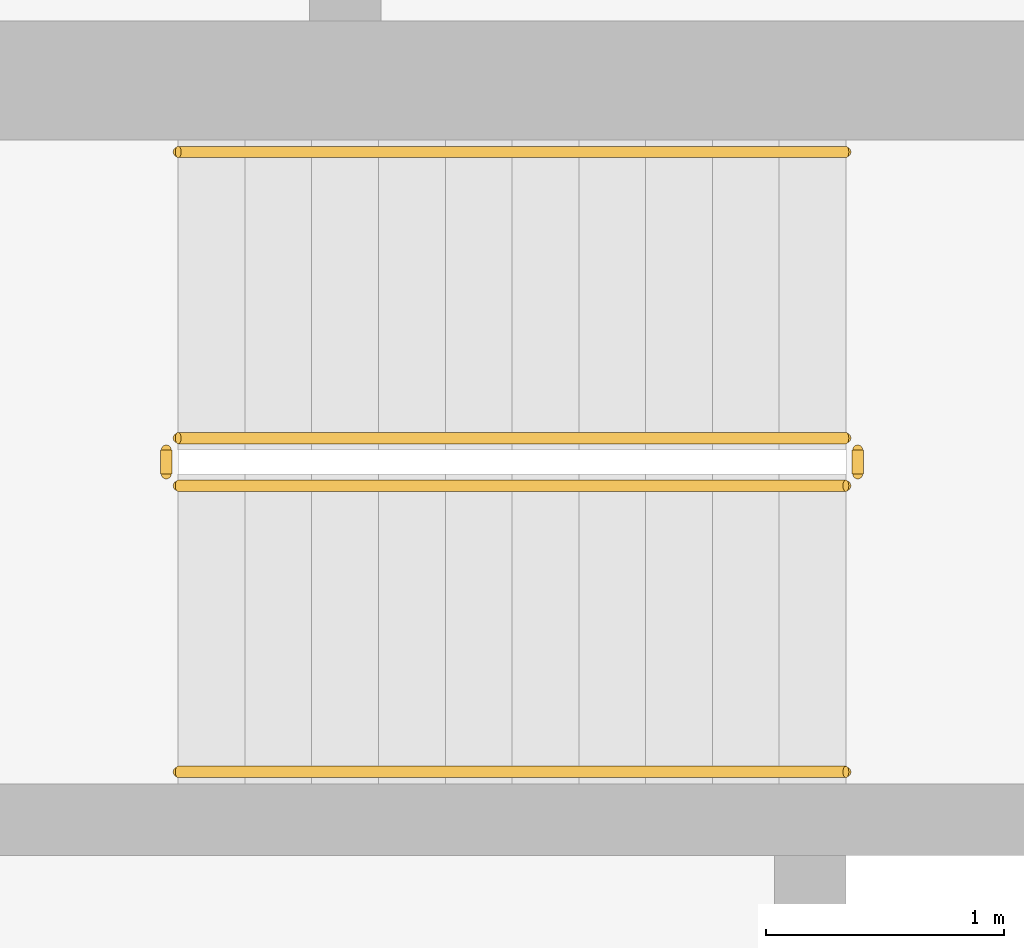
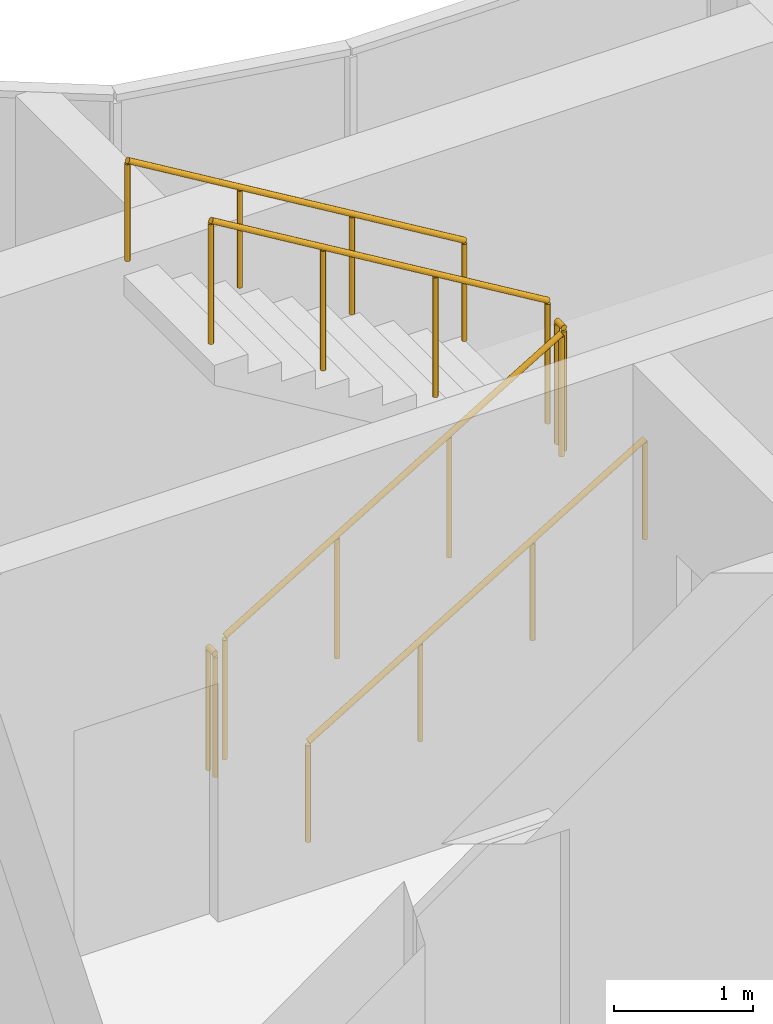
# One storey, part 17 of 19: 6 railings.
"""IFC4 building model written with IfcOpenShell, lengths in metres."""

from ifc_helpers import new_model, si_unit, direction, frame, origin, origin_2d, place, context, subcontext, project, spatial, circle, extrude, material, type_object, element, save


model = new_model("IFC4")

# Units and contexts
model_context = context("Model", 3, precision=1e-05, world=origin(), true_north=direction((0.0, 1.0)))
body_context = subcontext(model_context, "Body", "Model", "MODEL_VIEW")
ifc_project = project(units=[si_unit("LENGTHUNIT", "METRE"), si_unit("AREAUNIT", "SQUARE_METRE"), si_unit("VOLUMEUNIT", "CUBIC_METRE"), si_unit("PLANEANGLEUNIT", "RADIAN"), si_unit("MASSUNIT", "GRAM", prefix="KILO")], contexts=[model_context])

# Site, building, storey
site_placement = place(None, origin())
site = spatial("IfcSite", under=ifc_project, at=site_placement, CompositionType="ELEMENT")
building_placement = place(site_placement, origin())
building = spatial("IfcBuilding", under=site, at=building_placement, Name="Ogive Portal Towers", CompositionType="ELEMENT")
storey_placement = place(building_placement, frame((0.0, 0.0, 229.10009765625)))
storey = spatial("IfcBuildingStorey", under=building, at=storey_placement, Name="L57", CompositionType="ELEMENT", Elevation=229.10009765625)

# Railings
ifc_material_1 = material(Name="Stainless steel balustrade", Category="steel")
railing_type_1 = type_object("IfcRailingType", Name="INT-GUARD", PredefinedType="GUARDRAIL", material=ifc_material_1)
railing_1_placement = place(storey_placement, frame((52.550048828125, 37.60009765625, 0.16796875)))
element("IfcRailing", 1, at=railing_1_placement, inside=storey, type_object=railing_type_1, Name="L57 ST-A2 stair guard 1", PredefinedType="GUARDRAIL", context=body_context, shape_type="SweptSolid", body=[
    extrude(circle(Radius=0.02392578125, at=origin_2d()), frame((0.0, 0.0, 1.076171875), z_axis=(0.857242210791, 0.0, 0.514913383045), x_axis=(0.0, 1.0, 0.0)), (0.0, 0.0, 1.0), 3.266357421875),
    extrude(circle(Radius=0.02099609375, at=origin_2d()), origin(), (0.0, 0.0, 1.0), 1.052001953125),
    extrude(circle(Radius=0.02099609375, at=origin_2d()), frame((0.933349609375, 0.0, 0.560546875)), (0.0, 0.0, 1.0), 1.052001953125),
    extrude(circle(Radius=0.02099609375, at=origin_2d()), frame((1.86669921875, 0.0, 1.121337890625)), (0.0, 0.0, 1.0), 1.052001953125),
    extrude(circle(Radius=0.02099609375, at=origin_2d()), frame((2.800048828125, 0.0, 1.681884765625)), (0.0, 0.0, 1.0), 1.052001953125),
])
railing_2_placement = place(storey_placement, frame((55.39990234375, 37.64990234375, 1.849853515625)))
element("IfcRailing", 2, at=railing_2_placement, inside=storey, type_object=railing_type_1, Name="L57 ST-A2 stair guard 2", PredefinedType="GUARDRAIL", context=body_context, shape_type="SweptSolid", body=[
    extrude(circle(Radius=0.02392578125, at=origin_2d()), frame((0.0, 0.0, 1.076171875), z_axis=(0.0, 1.0, 0.0), x_axis=(-1.0, 0.0, 0.0)), (0.0, 0.0, 1.0), 0.10009765625),
    extrude(circle(Radius=0.02099609375, at=origin_2d()), origin(), (0.0, 0.0, 1.0), 1.052001953125),
    extrude(circle(Radius=0.02099609375, at=origin_2d()), frame((0.0, 0.10009765625, 0.0)), (0.0, 0.0, 1.0), 1.052001953125),
])
railing_3_placement = place(storey_placement, frame((55.35009765625, 37.800048828125, 2.01806640625)))
element("IfcRailing", 3, at=railing_3_placement, inside=storey, type_object=railing_type_1, Name="L57 ST-A2 stair guard 3", PredefinedType="GUARDRAIL", context=body_context, shape_type="SweptSolid", body=[
    extrude(circle(Radius=0.02392578125, at=origin_2d()), frame((0.0, 0.0, 1.076171875), z_axis=(-0.857242210791, 0.0, 0.514913383045), x_axis=(0.0, -1.0, 0.0)), (0.0, 0.0, 1.0), 3.266357421875),
    extrude(circle(Radius=0.02099609375, at=origin_2d()), origin(), (0.0, 0.0, 1.0), 1.052001953125),
    extrude(circle(Radius=0.02099609375, at=origin_2d()), frame((-0.933349609375, 0.0, 0.560546875)), (0.0, 0.0, 1.0), 1.052001953125),
    extrude(circle(Radius=0.02099609375, at=origin_2d()), frame((-1.86669921875, 0.0, 1.121337890625)), (0.0, 0.0, 1.0), 1.052001953125),
    extrude(circle(Radius=0.02099609375, at=origin_2d()), frame((-2.800048828125, 0.0, 1.681884765625)), (0.0, 0.0, 1.0), 1.052001953125),
])
railing_4_placement = place(storey_placement, frame((52.5, 37.64990234375, 0.0)))
element("IfcRailing", 4, at=railing_4_placement, inside=storey, type_object=railing_type_1, Name="L57 ST-A2 stair guard 4", PredefinedType="GUARDRAIL", context=body_context, shape_type="SweptSolid", body=[
    extrude(circle(Radius=0.02392578125, at=origin_2d()), frame((0.0, 0.0, 1.076171875), z_axis=(0.0, 1.0, 0.0), x_axis=(-1.0, 0.0, 0.0)), (0.0, 0.0, 1.0), 0.10009765625),
    extrude(circle(Radius=0.02099609375, at=origin_2d()), origin(), (0.0, 0.0, 1.0), 1.052001953125),
    extrude(circle(Radius=0.02099609375, at=origin_2d()), frame((0.0, 0.10009765625, 0.0)), (0.0, 0.0, 1.0), 1.052001953125),
])
ifc_material_2 = material(Name="Stainless steel handrail", Category="steel")
railing_type_2 = type_object("IfcRailingType", Name="INT-HANDRAIL", PredefinedType="HANDRAIL", material=ifc_material_2)
railing_5_placement = place(storey_placement, frame((52.550048828125, 36.39990234375, 0.16796875)))
element("IfcRailing", 5, at=railing_5_placement, inside=storey, type_object=railing_type_2, Name="L57 ST-A2 stair handrail 1", PredefinedType="HANDRAIL", context=body_context, shape_type="SweptSolid", body=[
    extrude(circle(Radius=0.02392578125, at=origin_2d()), frame((0.0, 0.0, 0.8759765625), z_axis=(0.857242210791, 0.0, 0.514913383045), x_axis=(0.0, 1.0, 0.0)), (0.0, 0.0, 1.0), 3.266357421875),
    extrude(circle(Radius=0.02099609375, at=origin_2d()), origin(), (0.0, 0.0, 1.0), 0.851806640625),
    extrude(circle(Radius=0.02099609375, at=origin_2d()), frame((0.933349609375, 0.0, 0.560546875)), (0.0, 0.0, 1.0), 0.851806640625),
    extrude(circle(Radius=0.02099609375, at=origin_2d()), frame((1.86669921875, 0.0, 1.121337890625)), (0.0, 0.0, 1.0), 0.851806640625),
    extrude(circle(Radius=0.02099609375, at=origin_2d()), frame((2.800048828125, 0.0, 1.681884765625)), (0.0, 0.0, 1.0), 0.851806640625),
])
railing_6_placement = place(storey_placement, frame((55.35009765625, 39.0, 2.01806640625)))
element("IfcRailing", 6, at=railing_6_placement, inside=storey, type_object=railing_type_2, Name="L57 ST-A2 stair handrail 2", PredefinedType="HANDRAIL", context=body_context, shape_type="SweptSolid", body=[
    extrude(circle(Radius=0.02392578125, at=origin_2d()), frame((0.0, 0.0, 0.8759765625), z_axis=(-0.857242210791, 0.0, 0.514913383045), x_axis=(0.0, -1.0, 0.0)), (0.0, 0.0, 1.0), 3.266357421875),
    extrude(circle(Radius=0.02099609375, at=origin_2d()), origin(), (0.0, 0.0, 1.0), 0.851806640625),
    extrude(circle(Radius=0.02099609375, at=origin_2d()), frame((-0.933349609375, 0.0, 0.560546875)), (0.0, 0.0, 1.0), 0.851806640625),
    extrude(circle(Radius=0.02099609375, at=origin_2d()), frame((-1.86669921875, 0.0, 1.121337890625)), (0.0, 0.0, 1.0), 0.851806640625),
    extrude(circle(Radius=0.02099609375, at=origin_2d()), frame((-2.800048828125, 0.0, 1.681884765625)), (0.0, 0.0, 1.0), 0.851806640625),
])

save(model, "model.ifc")
